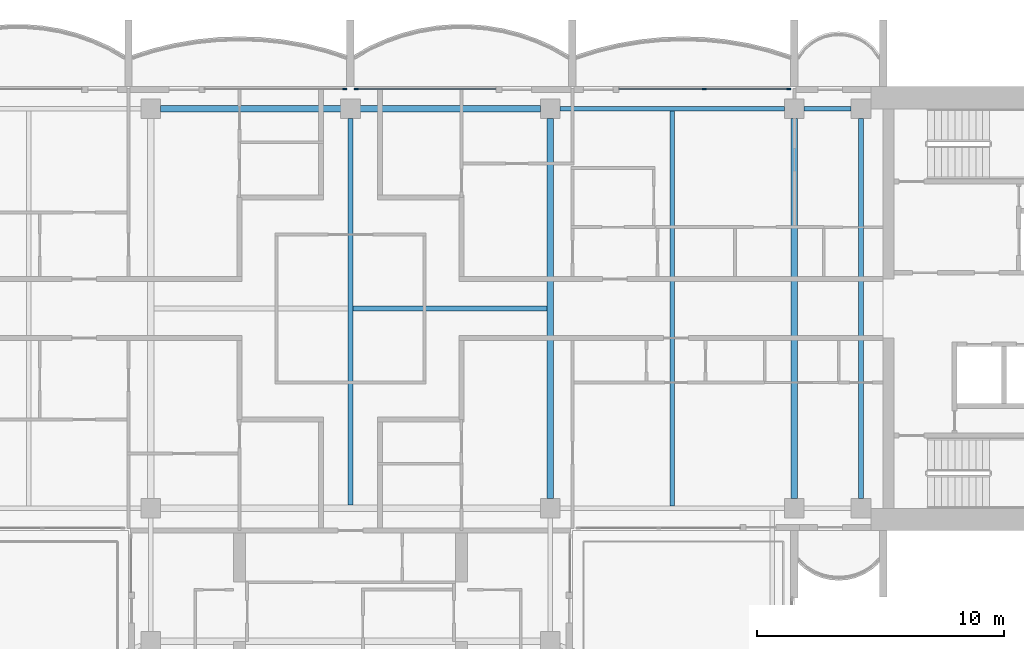
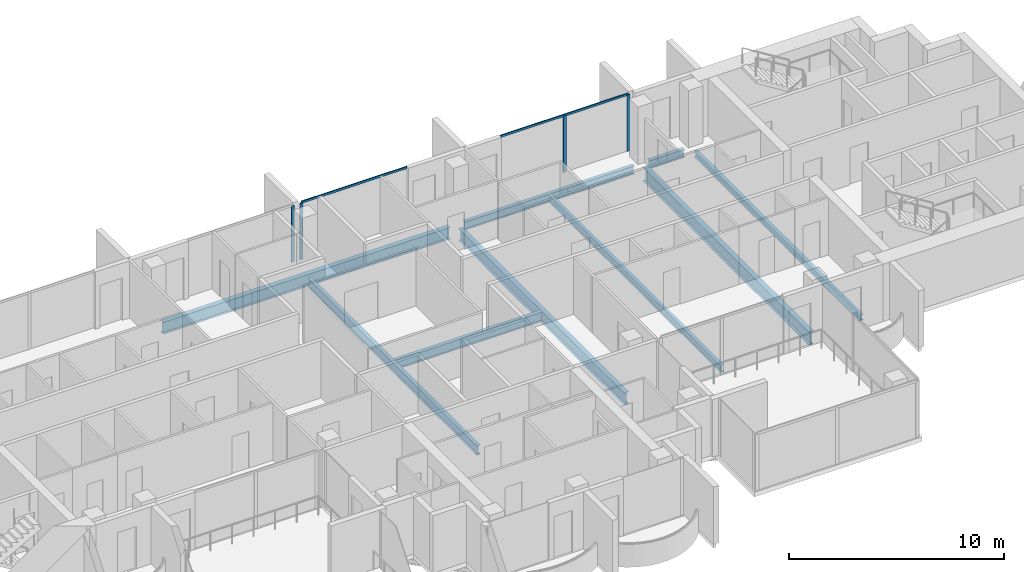
# One storey, part 4 of 17: 9 beams, 6 members, 3 elements without a shape of their own.
"""IFC4 building model written with IfcOpenShell, lengths in metres."""

import ifcopenshell
import ifcopenshell.guid

model = None  # the IFC model being written
_history = None  # IfcOwnerHistory: only IFC2X3 demands one
_inside = {}  # id of a spatial element -> (the spatial element, [elements in it])
_under = {}  # id of a project, library or spatial element -> (it, [spatial elements below it])
_declared = {}  # id of a project -> (the project, [libraries it declares])
_typed = {}  # id of a type object -> (the type object, [elements of that type])
_made_of = {}  # id of a material, layer set ... -> (it, [elements and type objects made of it])


def new_model(schema):
    """Start an empty IFC model of exactly this schema.

    Asked for "IFC4X3", IfcOpenShell would pick the latest addendum, in which some entities
    have other attributes; the version numbers below select the first issue.
    IFC2X3 requires an IfcOwnerHistory on every rooted entity: one is made here for all.
    """
    global model, _history
    if schema == "IFC4X3":
        model = ifcopenshell.file(schema_version=(4, 3, 0, 0))
    else:
        model = ifcopenshell.file(schema=schema)
    _inside.clear()
    _under.clear()
    _declared.clear()
    _typed.clear()
    _made_of.clear()
    _history = None
    if model.schema == "IFC2X3":
        org = make("IfcOrganization", Name="unknown")
        user = make(
            "IfcPersonAndOrganization",
            ThePerson=make("IfcPerson", FamilyName="unknown"),
            TheOrganization=org,
        )
        app = make(
            "IfcApplication",
            ApplicationDeveloper=org,
            Version="unknown",
            ApplicationFullName="unknown",
            ApplicationIdentifier="unknown",
        )
        _history = make(
            "IfcOwnerHistory",
            OwningUser=user,
            OwningApplication=app,
            ChangeAction="ADDED",
            CreationDate=0,
        )
    return model


def make(cls, **values):
    """One entity of the class cls with the attributes given. An attribute that is None is left unset."""
    return model.create_entity(
        cls, **{name: value for name, value in values.items() if value is not None}
    )


def rooted(cls, **values):
    """An entity with a GlobalId (a new one), such as an element, a storey or a relation."""
    return make(cls, GlobalId=ifcopenshell.guid.new(), OwnerHistory=_history, **values)


def si_unit(unit_type, name, prefix=None):
    """IfcSIUnit, for example si_unit("LENGTHUNIT", "METRE", prefix="MILLI")."""
    return make("IfcSIUnit", UnitType=unit_type, Prefix=prefix, Name=name)


def assignment(units):
    """IfcUnitAssignment: the units of a project."""
    return None if units is None else make("IfcUnitAssignment", Units=units)


def point(xyz):
    """IfcCartesianPoint."""
    return None if xyz is None else make("IfcCartesianPoint", Coordinates=xyz)


def direction(xyz):
    """IfcDirection."""
    return None if xyz is None else make("IfcDirection", DirectionRatios=xyz)


def frame(location, z_axis=None, x_axis=None):
    """IfcAxis2Placement3D, a coordinate frame: its origin and axes. An axis left out is left unset."""
    return make(
        "IfcAxis2Placement3D",
        Location=point(location),
        Axis=direction(z_axis),
        RefDirection=direction(x_axis),
    )


def frame_2d(location, x_axis=None):
    """IfcAxis2Placement2D, a coordinate frame in the plane: its origin and x axis."""
    return make(
        "IfcAxis2Placement2D", Location=point(location), RefDirection=direction(x_axis)
    )


def origin():
    """The frame at (0, 0, 0) with its axes left unset."""
    return frame((0.0, 0.0, 0.0))


def origin_2d():
    """The frame at (0, 0) in the plane with its x axis left unset."""
    return frame_2d((0.0, 0.0))


def place(relative_to, where):
    """IfcLocalPlacement: puts the frame where relative to a parent placement (None: the world)."""
    return make(
        "IfcLocalPlacement", PlacementRelTo=relative_to, RelativePlacement=where
    )


def context(
    kind, dimensions, precision=None, world=None, true_north=None, identifier=None
):
    """IfcGeometricRepresentationContext, for example the 3D "Model" context."""
    return make(
        "IfcGeometricRepresentationContext",
        ContextIdentifier=identifier,
        ContextType=kind,
        CoordinateSpaceDimension=dimensions,
        Precision=precision,
        WorldCoordinateSystem=world,
        TrueNorth=true_north,
    )


def subcontext(parent, identifier, kind, view, scale=None):
    """IfcGeometricRepresentationSubContext, for example "Body" below "Model"."""
    return make(
        "IfcGeometricRepresentationSubContext",
        ContextIdentifier=identifier,
        ContextType=kind,
        ParentContext=parent,
        TargetScale=scale,
        TargetView=view,
    )


def project(units=None, contexts=None):
    """IfcProject with its units and contexts."""
    return rooted(
        "IfcProject",
        Name="project",
        RepresentationContexts=contexts,
        UnitsInContext=assignment(units),
    )


def spatial(cls, under=None, at=None, **own):
    """A site, building, storey or space (cls), placed at a placement, below another one or the project."""
    s = rooted(cls, ObjectPlacement=at, **own)
    if under is not None:
        _under.setdefault(under.id(), (under, []))[1].append(s)
    return s


def profile(cls, at=None, kind="AREA", **sizes):
    """A parametric profile (cls). Its sizes go by their IFC names, for example OverallWidth=200.0."""
    return make(cls, ProfileType=kind, Position=at, **sizes)


def rectangle(**sizes):
    """IfcRectangleProfileDef."""
    return profile("IfcRectangleProfileDef", **sizes)


def i_section(**sizes):
    """IfcIShapeProfileDef."""
    return profile("IfcIShapeProfileDef", **sizes)


def extrude(swept, where, along, depth):
    """IfcExtrudedAreaSolid: the profile swept, set in the frame where, extruded along a direction by depth."""
    return make(
        "IfcExtrudedAreaSolid",
        SweptArea=swept,
        Position=where,
        ExtrudedDirection=direction(along),
        Depth=depth,
    )


def shape(context_of_items, identifier, shape_type, items):
    """IfcShapeRepresentation: the items that make up one representation, for example the "Body"."""
    return make(
        "IfcShapeRepresentation",
        ContextOfItems=context_of_items,
        RepresentationIdentifier=identifier,
        RepresentationType=shape_type,
        Items=items,
    )


def material(Name=None, Category=None):
    """IfcMaterial."""
    return make("IfcMaterial", Name=Name, Category=Category)


def material_profile(
    of_material, cross_section, Name=None, Category=None, Priority=None
):
    """IfcMaterialProfile: a cross section and its material."""
    return make(
        "IfcMaterialProfile",
        Name=Name,
        Material=of_material,
        Profile=cross_section,
        Priority=Priority,
        Category=Category,
    )


def profile_set(profiles, Name=None, composite=None):
    """IfcMaterialProfileSet."""
    return make(
        "IfcMaterialProfileSet",
        Name=Name,
        MaterialProfiles=profiles,
        CompositeProfile=composite,
    )


def made_of(thing, what):
    """Note that an element or type object is made of a material, layer set ...; save() writes the relation."""
    if what is not None:
        _made_of.setdefault(what.id(), (what, []))[1].append(thing)
    return thing


def type_object(cls, material=None, **own):
    """A type object (cls), such as IfcWallType, which elements share."""
    return made_of(rooted(cls, **own), material)


def element(
    cls,
    number,
    at=None,
    inside=None,
    cuts=None,
    type_object=None,
    material=None,
    context=None,
    identifier="Body",
    shape_type=None,
    held_by="IfcProductDefinitionShape",
    body=None,
    shapes=None,
    **own,
):
    """One element of the class cls, such as IfcWall. Its Tag is "e" and its number.

    at: its placement. inside: the storey or other place that contains it. cuts: it is an
    opening in that element (IfcRelVoidsElement). A single representation is given by context,
    identifier, shape_type and body (its items); several are given by shapes. held_by: the class
    of the entity that holds the representations. save() writes the other relations.
    """
    e = rooted(cls, Tag="e%d" % number, ObjectPlacement=at, **own)
    if body is not None:
        shapes = [shape(context, identifier, shape_type, body)]
    if shapes is not None:
        e.Representation = make(held_by, Representations=shapes)
    if inside is not None:
        _inside.setdefault(inside.id(), (inside, []))[1].append(e)
    if cuts is not None:
        rooted(
            "IfcRelVoidsElement", RelatingBuildingElement=cuts, RelatedOpeningElement=e
        )
    if type_object is not None:
        _typed.setdefault(type_object.id(), (type_object, []))[1].append(e)
    return made_of(e, material)


def aggregate(whole, parts):
    """IfcRelAggregates: a whole, such as a stair, and the parts it consists of."""
    return rooted("IfcRelAggregates", RelatingObject=whole, RelatedObjects=parts)


def save(model, path):
    """Write the relations noted so far, then the file.

    IfcRelAggregates (storeys below a building ...), IfcRelContainedInSpatialStructure (elements
    in a storey), IfcRelDefinesByType, IfcRelAssociatesMaterial and IfcRelDeclares: one each for
    every whole, place, type object, material and project.
    """
    for whole, parts in _under.values():
        aggregate(whole, parts)
    for where, things in _inside.values():
        rooted(
            "IfcRelContainedInSpatialStructure",
            RelatedElements=things,
            RelatingStructure=where,
        )
    for kind, things in _typed.values():
        rooted("IfcRelDefinesByType", RelatedObjects=things, RelatingType=kind)
    for what, things in _made_of.values():
        rooted("IfcRelAssociatesMaterial", RelatedObjects=things, RelatingMaterial=what)
    for by, libraries in _declared.values():
        rooted("IfcRelDeclares", RelatingContext=by, RelatedDefinitions=libraries)
    model.write(path)


model = new_model("IFC4")

# Units and contexts
model_context = context("Model", 3, precision=1e-05, world=origin(), true_north=direction((0.0, 1.0)))
body_context = subcontext(model_context, "Body", "Model", "MODEL_VIEW")
ifc_project = project(units=[si_unit("LENGTHUNIT", "METRE"), si_unit("AREAUNIT", "SQUARE_METRE"), si_unit("VOLUMEUNIT", "CUBIC_METRE"), si_unit("PLANEANGLEUNIT", "RADIAN"), si_unit("MASSUNIT", "GRAM", prefix="KILO")], contexts=[model_context])

# Site, building, storey
site_placement = place(None, origin())
site = spatial("IfcSite", under=ifc_project, at=site_placement, CompositionType="ELEMENT")
building_placement = place(site_placement, origin())
building = spatial("IfcBuilding", under=site, at=building_placement, Name="Perihelion Cross Residences", CompositionType="ELEMENT")
storey_placement = place(building_placement, frame((0.0, 0.0, 278.0)))
storey = spatial("IfcBuildingStorey", under=building, at=storey_placement, Name="L71", CompositionType="ELEMENT", Elevation=278.0)

# Curtain wall, members
ifc_material_1 = material(Name="Bronze anodised aluminium, tinted glazing", Category="aluminium")
curtain_wall_type = type_object("IfcCurtainWallType", Name="CW1", PredefinedType="NOTDEFINED", material=ifc_material_1)
curtain_wall_1_placement = place(storey_placement, origin())
curtain_wall_1 = element("IfcCurtainWall", 1, at=curtain_wall_1_placement, inside=storey, type_object=curtain_wall_type, Name="Curtain wall CW1 L71 east side north bay 2", PredefinedType="NOTDEFINED")
ifc_material_2 = material(Name="Bronze anodised aluminium", Category="aluminium")
ifc_material_profile_1 = material_profile(ifc_material_2, rectangle(XDim=0.06005859375, YDim=0.159912109375, at=origin_2d()), Name="CW1 mullion")
ifc_profile_set_1 = profile_set([ifc_material_profile_1], Name="Bronze anodised aluminium")
member_type_1 = type_object("IfcMemberType", Name="CW1 mullion", PredefinedType="MULLION", material=ifc_profile_set_1)
member_1_placement = place(storey_placement, frame((17.77001953125, 8.89990234375, 0.0), z_axis=(0.0, 0.0, 1.0), x_axis=(0.0, -1.0, 0.0)))
member_1 = element("IfcMember", 2, at=member_1_placement, type_object=member_type_1, Name="CW1 mullion 1", PredefinedType="MULLION", context=body_context, shape_type="SweptSolid", body=[
    extrude(rectangle(XDim=0.06005859375, YDim=0.159912109375, at=origin_2d()), origin(), (0.0, 0.0, 1.0), 3.18994140625),
])
member_2_placement = place(storey_placement, frame((14.35009765625, 8.89990234375, 0.0), z_axis=(0.0, 0.0, 1.0), x_axis=(0.0, -1.0, 0.0)))
member_2 = element("IfcMember", 3, at=member_2_placement, type_object=member_type_1, Name="CW1 mullion 2", PredefinedType="MULLION", context=body_context, shape_type="SweptSolid", body=[
    extrude(rectangle(XDim=0.06005859375, YDim=0.159912109375, at=origin_2d()), origin(), (0.0, 0.0, 1.0), 3.18994140625),
])

# Curtain wall, member
curtain_wall_2_placement = place(storey_placement, origin())
curtain_wall_2 = element("IfcCurtainWall", 4, at=curtain_wall_2_placement, inside=storey, type_object=curtain_wall_type, Name="Curtain wall CW1 L71 north side east bay 1", PredefinedType="NOTDEFINED")
member_3_placement = place(storey_placement, frame((0.22998046875, 8.89990234375, 0.0), z_axis=(0.0, 0.0, 1.0), x_axis=(0.0, -1.0, 0.0)))
member_3 = element("IfcMember", 5, at=member_3_placement, type_object=member_type_1, Name="CW1 mullion 2", PredefinedType="MULLION", context=body_context, shape_type="SweptSolid", body=[
    extrude(rectangle(XDim=0.06005859375, YDim=0.159912109375, at=origin_2d()), origin(), (0.0, 0.0, 1.0), 3.18994140625),
])

curtain_wall_3_placement = place(storey_placement, origin())
curtain_wall_3 = element("IfcCurtainWall", 6, at=curtain_wall_3_placement, inside=storey, type_object=curtain_wall_type, Name="Curtain wall CW1 L71 north side east bay 2", PredefinedType="NOTDEFINED")
member_4_placement = place(storey_placement, frame((-0.22998046875, 8.89990234375, 0.0), z_axis=(0.0, 0.0, 1.0), x_axis=(0.0, -1.0, 0.0)))
member_4 = element("IfcMember", 7, at=member_4_placement, type_object=member_type_1, Name="CW1 mullion 1", PredefinedType="MULLION", context=body_context, shape_type="SweptSolid", body=[
    extrude(rectangle(XDim=0.06005859375, YDim=0.159912109375, at=origin_2d()), origin(), (0.0, 0.0, 1.0), 3.18994140625),
])
aggregate(curtain_wall_3, [member_4])

# Member
ifc_material_3 = material(Name="Bronze anodised aluminium", Category="aluminium")
ifc_material_profile_2 = material_profile(ifc_material_3, rectangle(XDim=0.06005859375, YDim=0.1201171875, at=origin_2d()), Name="CW1 transom")
ifc_profile_set_2 = profile_set([ifc_material_profile_2], Name="Bronze anodised aluminium")
member_type_2 = type_object("IfcMemberType", Name="CW1 transom", PredefinedType="USERDEFINED", material=ifc_profile_set_2)
member_5_placement = place(storey_placement, frame((17.77001953125, 8.89990234375, 3.219970703125), z_axis=(-1.0, 0.0, 0.0), x_axis=(0.0, -1.0, 0.0)))
member_5 = element("IfcMember", 8, at=member_5_placement, type_object=member_type_2, Name="CW1 head transom", ObjectType="TRANSOM", PredefinedType="USERDEFINED", context=body_context, shape_type="SweptSolid", body=[
    extrude(rectangle(XDim=0.06005859375, YDim=0.1201171875, at=origin_2d()), origin(), (0.0, 0.0, 1.0), 6.8701171875),
])

aggregate(curtain_wall_1, [member_1, member_2, member_5])

member_6_placement = place(storey_placement, frame((5.89990234375, 8.89990234375, 3.219970703125), z_axis=(-1.0, 0.0, 0.0), x_axis=(0.0, -1.0, 0.0)))
member_6 = element("IfcMember", 9, at=member_6_placement, type_object=member_type_2, Name="CW1 head transom", ObjectType="TRANSOM", PredefinedType="USERDEFINED", context=body_context, shape_type="SweptSolid", body=[
    extrude(rectangle(XDim=0.06005859375, YDim=0.1201171875, at=origin_2d()), origin(), (0.0, 0.0, 1.0), 5.669921875),
])

aggregate(curtain_wall_2, [member_3, member_6])

# Beams
ifc_material_4 = material(Name="Steel S355", Category="steel")
ifc_material_profile_3 = material_profile(ifc_material_4, i_section(OverallWidth=0.205078125, OverallDepth=0.35302734375, WebThickness=0.009521484375, FlangeThickness=0.016845703125, at=origin_2d()), Name="W360x79")
ifc_profile_set_3 = profile_set([ifc_material_profile_3], Name="Steel S355")
beam_type_1 = type_object("IfcBeamType", Name="Core edge beam W360x79", PredefinedType="BEAM", material=ifc_profile_set_3)
beam_1_placement = place(storey_placement, frame((20.699951171875, -7.699951171875, -0.426513671875), z_axis=(0.0, 1.0, 0.0), x_axis=(-1.0, 0.0, 0.0)))
element("IfcBeam", 10, at=beam_1_placement, inside=storey, type_object=beam_type_1, Name="Core edge beam TB7 L71 no. 2", PredefinedType="BEAM", context=body_context, shape_type="SweptSolid", body=[
    extrude(i_section(OverallWidth=0.205078125, OverallDepth=0.35302734375, WebThickness=0.009521484375, FlangeThickness=0.016845703125, at=origin_2d()), origin(), (0.0, 0.0, 1.0), 15.39990234375),
])
ifc_material_5 = material(Name="Steel S355", Category="steel")
ifc_material_profile_4 = material_profile(ifc_material_5, i_section(OverallWidth=0.194091796875, OverallDepth=0.469970703125, WebThickness=0.0126953125, FlangeThickness=0.0205078125, at=origin_2d()), Name="W460x106")
ifc_profile_set_4 = profile_set([ifc_material_profile_4], Name="Steel S355")
beam_type_2 = type_object("IfcBeamType", Name="Edge beam W460x106", PredefinedType="SPANDREL", material=ifc_profile_set_4)
beam_2_placement = place(storey_placement, frame((20.300048828125, 8.10009765625, -0.485107421875), z_axis=(-1.0, 0.0, 0.0), x_axis=(0.0, -1.0, 0.0)))
element("IfcBeam", 11, at=beam_2_placement, inside=storey, type_object=beam_type_2, Name="Edge beam SB5 L71 no. 10", PredefinedType="SPANDREL", context=body_context, shape_type="SweptSolid", body=[
    extrude(i_section(OverallWidth=0.194091796875, OverallDepth=0.469970703125, WebThickness=0.0126953125, FlangeThickness=0.0205078125, at=origin_2d()), origin(), (0.0, 0.0, 1.0), 1.900146484375),
])
beam_3_placement = place(storey_placement, frame((17.60009765625, 8.10009765625, -0.485107421875), z_axis=(-1.0, 0.0, 0.0), x_axis=(0.0, -1.0, 0.0)))
element("IfcBeam", 12, at=beam_3_placement, inside=storey, type_object=beam_type_2, Name="Edge beam SB5 L71 no. 9", PredefinedType="SPANDREL", context=body_context, shape_type="SweptSolid", body=[
    extrude(i_section(OverallWidth=0.194091796875, OverallDepth=0.469970703125, WebThickness=0.0126953125, FlangeThickness=0.0205078125, at=origin_2d()), origin(), (0.0, 0.0, 1.0), 9.10009765625),
])
ifc_material_6 = material(Name="Steel S355", Category="steel")
ifc_material_profile_5 = material_profile(ifc_material_6, i_section(OverallWidth=0.26708984375, OverallDepth=0.75390625, WebThickness=0.01318359375, FlangeThickness=0.01708984375, at=origin_2d()), Name="W760x147")
ifc_profile_set_5 = profile_set([ifc_material_profile_5], Name="Steel S355")
beam_type_3 = type_object("IfcBeamType", Name="Floor girder W760x147", PredefinedType="BEAM", material=ifc_profile_set_5)
beam_4_placement = place(storey_placement, frame((18.0, -7.699951171875, -0.626953125), z_axis=(0.0, 1.0, 0.0), x_axis=(-1.0, 0.0, 0.0)))
element("IfcBeam", 13, at=beam_4_placement, inside=storey, type_object=beam_type_3, Name="Girder G5 L71 no. 2", PredefinedType="BEAM", context=body_context, shape_type="SweptSolid", body=[
    extrude(i_section(OverallWidth=0.26708984375, OverallDepth=0.75390625, WebThickness=0.01318359375, FlangeThickness=0.01708984375, at=origin_2d()), origin(), (0.0, 0.0, 1.0), 15.39990234375),
])
ifc_material_7 = material(Name="Steel S355", Category="steel")
ifc_material_profile_6 = material_profile(ifc_material_7, i_section(OverallWidth=0.177978515625, OverallDepth=0.406005859375, WebThickness=0.0078125, FlangeThickness=0.0126953125, at=origin_2d()), Name="W410x60")
ifc_profile_set_6 = profile_set([ifc_material_profile_6], Name="Steel S355")
beam_type_4 = type_object("IfcBeamType", Name="Floor joist W410x60", PredefinedType="JOIST", material=ifc_profile_set_6)
beam_5_placement = place(storey_placement, frame((13.050048828125, -8.0029296875, -0.452880859375), z_axis=(0.0, 1.0, 0.0), x_axis=(-1.0, 0.0, 0.0)))
element("IfcBeam", 14, at=beam_5_placement, inside=storey, type_object=beam_type_4, Name="Joist J6 L71 no. 2", PredefinedType="JOIST", context=body_context, shape_type="SweptSolid", body=[
    extrude(i_section(OverallWidth=0.177978515625, OverallDepth=0.406005859375, WebThickness=0.0078125, FlangeThickness=0.0126953125, at=origin_2d()), origin(), (0.0, 0.0, 1.0), 16.005859375),
])
ifc_material_8 = material(Name="Steel S355", Category="steel")
ifc_material_profile_7 = material_profile(ifc_material_8, i_section(OverallWidth=0.208984375, OverallDepth=0.532958984375, WebThickness=0.01025390625, FlangeThickness=0.015625, at=origin_2d()), Name="W530x92")
ifc_profile_set_7 = profile_set([ifc_material_profile_7], Name="Steel S355")
beam_type_5 = type_object("IfcBeamType", Name="Hub cross beam W530x92", PredefinedType="BEAM", material=ifc_profile_set_7)
beam_6_placement = place(storey_placement, frame((0.0, -7.972900390625, -0.5166015625), z_axis=(0.0, 1.0, 0.0), x_axis=(-1.0, 0.0, 0.0)))
element("IfcBeam", 15, at=beam_6_placement, inside=storey, type_object=beam_type_5, Name="Hub cross beam XB5 L71 no. 1", PredefinedType="BEAM", context=body_context, shape_type="SweptSolid", body=[
    extrude(i_section(OverallWidth=0.208984375, OverallDepth=0.532958984375, WebThickness=0.01025390625, FlangeThickness=0.015625, at=origin_2d()), origin(), (0.0, 0.0, 1.0), 15.6728515625),
])
beam_7_placement = place(storey_placement, frame((0.1044921875, 0.0, -0.5166015625), z_axis=(1.0, 0.0, 0.0), x_axis=(0.0, 1.0, 0.0)))
element("IfcBeam", 16, at=beam_7_placement, inside=storey, type_object=beam_type_5, Name="Hub cross beam XB5 L71 2 no. 1", PredefinedType="BEAM", context=body_context, shape_type="SweptSolid", body=[
    extrude(i_section(OverallWidth=0.208984375, OverallDepth=0.532958984375, WebThickness=0.01025390625, FlangeThickness=0.015625, at=origin_2d()), origin(), (0.0, 0.0, 1.0), 7.868408203125),
])
ifc_material_9 = material(Name="Steel S355", Category="steel")
ifc_material_profile_8 = material_profile(ifc_material_9, i_section(OverallWidth=0.25390625, OverallDepth=0.677978515625, WebThickness=0.01171875, FlangeThickness=0.016357421875, at=origin_2d()), Name="W690x125")
ifc_profile_set_8 = profile_set([ifc_material_profile_8], Name="Steel S355")
beam_type_6 = type_object("IfcBeamType", Name="Hub ring girder W690x125", PredefinedType="BEAM", material=ifc_profile_set_8)
for number, where, z_axis, x_axis, name in (
    (17, (8.10009765625, -7.699951171875, -0.589111328125), (0.0, 1.0, 0.0), (-1.0, 0.0, 0.0), "Hub ring girder RG5 L71 no. 3"),
    (18, (7.699951171875, 8.10009765625, -0.589111328125), (-1.0, 0.0, 0.0), (0.0, -1.0, 0.0), "Hub ring girder RG5 L71 no. 4"),
):
    element("IfcBeam", number, at=place(storey_placement, frame(where, z_axis=z_axis, x_axis=x_axis)), inside=storey, type_object=beam_type_6, Name=name, PredefinedType="BEAM", context=body_context, shape_type="SweptSolid", body=[
        extrude(i_section(OverallWidth=0.25390625, OverallDepth=0.677978515625, WebThickness=0.01171875, FlangeThickness=0.016357421875, at=origin_2d()), origin(), (0.0, 0.0, 1.0), 15.39990234375),
    ])

save(model, "model.ifc")
